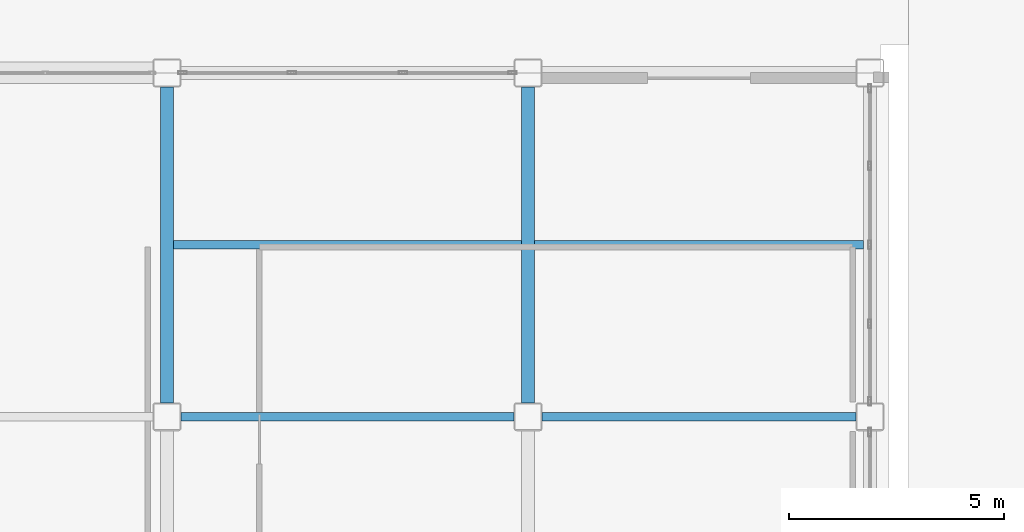
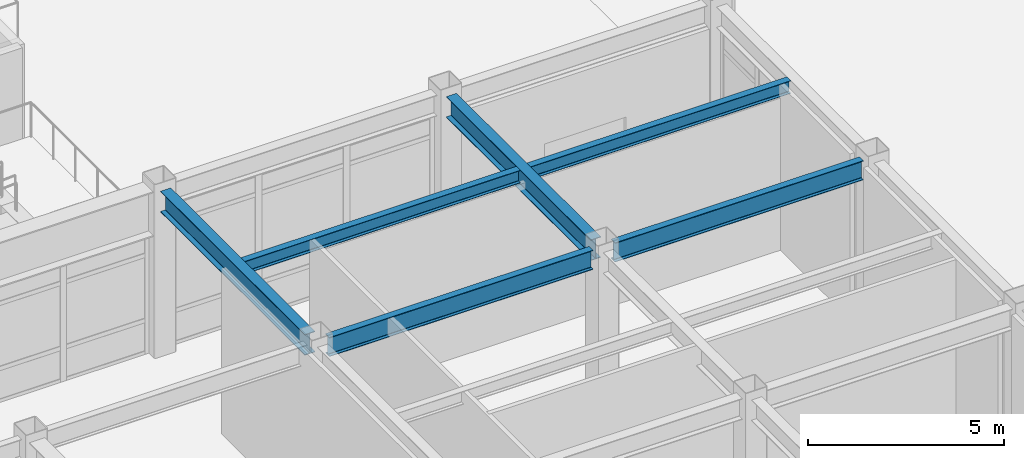
# One storey, part 58 of 165: 6 beams.
"""IFC4 building model written with IfcOpenShell, lengths in metres."""

from ifc_helpers import new_model, si_unit, direction, frame, origin, origin_2d, place, context, subcontext, project, spatial, i_section, extrude, material, material_profile, profile_set, type_object, element, save


model = new_model("IFC4")

# Units and contexts
model_context = context("Model", 3, precision=1e-05, world=origin(), true_north=direction((0.0, 1.0)))
body_context = subcontext(model_context, "Body", "Model", "MODEL_VIEW")
ifc_project = project(units=[si_unit("LENGTHUNIT", "METRE"), si_unit("AREAUNIT", "SQUARE_METRE"), si_unit("VOLUMEUNIT", "CUBIC_METRE"), si_unit("PLANEANGLEUNIT", "RADIAN"), si_unit("MASSUNIT", "GRAM", prefix="KILO")], contexts=[model_context])

# Site, building, storey
site_placement = place(None, origin())
site = spatial("IfcSite", under=ifc_project, at=site_placement, CompositionType="ELEMENT")
building_placement = place(site_placement, origin())
building = spatial("IfcBuilding", under=site, at=building_placement, Name="Kazehara Bluff Congress Hotel", CompositionType="ELEMENT")
storey_placement = place(building_placement, origin())
storey = spatial("IfcBuildingStorey", under=building, at=storey_placement, Name="L00", CompositionType="ELEMENT", Elevation=0.0)

# Beams
ifc_material_1 = material(Name="Steel SN490B", Category="steel")
ifc_material_profile_1 = material_profile(ifc_material_1, i_section(OverallWidth=0.300048828125, OverallDepth=0.64990234375, WebThickness=0.011962890625, FlangeThickness=0.02001953125, FilletRadius=0.012939453125, at=origin_2d()))
ifc_profile_set_1 = profile_set([ifc_material_profile_1], Name="Steel SN490B")
beam_type_1 = type_object("IfcBeamType", Name="TP-G-03", PredefinedType="BEAM", material=ifc_profile_set_1)
for number, where, z_axis, x_axis, name in (
    (1, (92.85009765625, 48.77490234375, 4.824951171875), (0.0, 1.0, 0.0), (-1.0, 0.0, 0.0), "L00 girder G-03 174"),
    (2, (101.25, 48.77490234375, 4.824951171875), (0.0, 1.0, 0.0), (-1.0, 0.0, 0.0), "L00 girder G-03 179"),
):
    element("IfcBeam", number, at=place(storey_placement, frame(where, z_axis=z_axis, x_axis=x_axis)), inside=storey, type_object=beam_type_1, Name=name, PredefinedType="BEAM", context=body_context, shape_type="SweptSolid", body=[
        extrude(i_section(OverallWidth=0.300048828125, OverallDepth=0.64990234375, WebThickness=0.011962890625, FlangeThickness=0.02001953125, FilletRadius=0.012939453125, at=origin_2d()), origin(), (0.0, 0.0, 1.0), 7.35009765625),
    ])
ifc_material_2 = material(Name="Steel SN400B", Category="steel")
ifc_material_profile_2 = material_profile(ifc_material_2, i_section(OverallWidth=0.199951171875, OverallDepth=0.39990234375, WebThickness=0.008056640625, FlangeThickness=0.012939453125, FilletRadius=0.012939453125, at=origin_2d()))
ifc_profile_set_2 = profile_set([ifc_material_profile_2], Name="Steel SN400B")
beam_type_2 = type_object("IfcBeamType", Name="TP-J-03", PredefinedType="JOIST", material=ifc_profile_set_2)
beam_1_placement = place(storey_placement, frame((93.0, 52.449951171875, 4.949951171875), z_axis=(1.0, 0.0, 0.0), x_axis=(0.0, 1.0, 0.0)))
element("IfcBeam", 3, at=beam_1_placement, inside=storey, type_object=beam_type_2, Name="L00 secondary joist J-03 47", PredefinedType="JOIST", context=body_context, shape_type="SweptSolid", body=[
    extrude(i_section(OverallWidth=0.199951171875, OverallDepth=0.39990234375, WebThickness=0.008056640625, FlangeThickness=0.012939453125, FilletRadius=0.012939453125, at=origin_2d()), origin(), (0.0, 0.0, 1.0), 8.10009765625),
])
beam_2_placement = place(storey_placement, frame((101.39990234375, 52.449951171875, 4.949951171875), z_axis=(1.0, 0.0, 0.0), x_axis=(0.0, 1.0, 0.0)))
element("IfcBeam", 4, at=beam_2_placement, inside=storey, type_object=beam_type_2, Name="L00 secondary joist J-03 52", PredefinedType="JOIST", context=body_context, shape_type="SweptSolid", body=[
    extrude(i_section(OverallWidth=0.199951171875, OverallDepth=0.39990234375, WebThickness=0.008056640625, FlangeThickness=0.012939453125, FilletRadius=0.012939453125, at=origin_2d()), origin(), (0.0, 0.0, 1.0), 7.650146484375),
])
ifc_material_3 = material(Name="Steel SN490B", Category="steel")
ifc_material_profile_3 = material_profile(ifc_material_3, i_section(OverallWidth=0.199951171875, OverallDepth=0.60009765625, WebThickness=0.010986328125, FlangeThickness=0.01708984375, FilletRadius=0.012939453125, at=origin_2d()))
ifc_profile_set_3 = profile_set([ifc_material_profile_3], Name="Steel SN490B")
beam_type_3 = type_object("IfcBeamType", Name="TP-SP-02", PredefinedType="SPANDREL", material=ifc_profile_set_3)
beam_3_placement = place(storey_placement, frame((93.175048828125, 48.449951171875, 4.85009765625), z_axis=(1.0, 0.0, 0.0), x_axis=(0.0, 1.0, 0.0)))
element("IfcBeam", 5, at=beam_3_placement, inside=storey, type_object=beam_type_3, Name="L00 girder SP-02 213", PredefinedType="SPANDREL", context=body_context, shape_type="SweptSolid", body=[
    extrude(i_section(OverallWidth=0.199951171875, OverallDepth=0.60009765625, WebThickness=0.010986328125, FlangeThickness=0.01708984375, FilletRadius=0.012939453125, at=origin_2d()), origin(), (0.0, 0.0, 1.0), 7.75),
])
beam_4_placement = place(storey_placement, frame((101.574951171875, 48.449951171875, 4.85009765625), z_axis=(1.0, 0.0, 0.0), x_axis=(0.0, 1.0, 0.0)))
element("IfcBeam", 6, at=beam_4_placement, inside=storey, type_object=beam_type_3, Name="L00 girder SP-02 214", PredefinedType="SPANDREL", context=body_context, shape_type="SweptSolid", body=[
    extrude(i_section(OverallWidth=0.199951171875, OverallDepth=0.60009765625, WebThickness=0.010986328125, FlangeThickness=0.01708984375, FilletRadius=0.012939453125, at=origin_2d()), origin(), (0.0, 0.0, 1.0), 7.300048828125),
])

save(model, "model.ifc")
